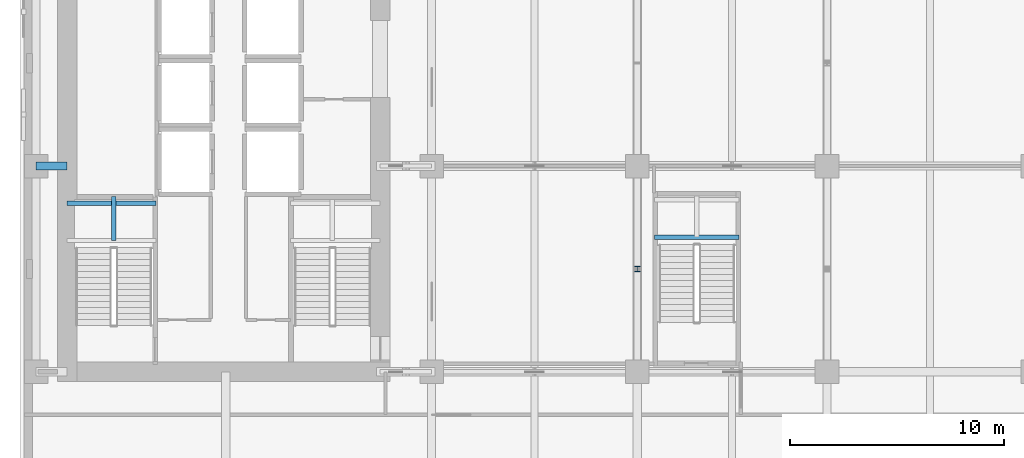
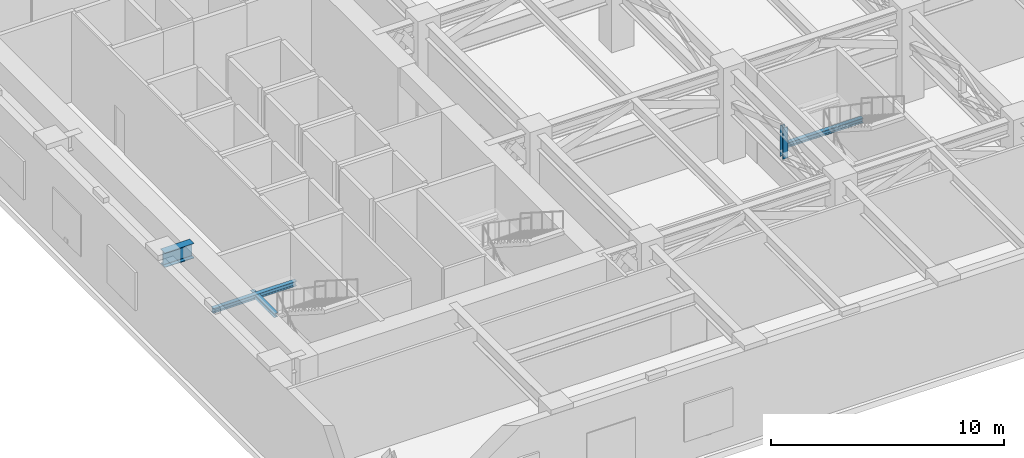
# One storey, part 2 of 22: 4 beams, 1 member.
"""IFC4 building model written with IfcOpenShell, lengths in metres."""

import ifcopenshell
import ifcopenshell.guid

model = None  # the IFC model being written
_history = None  # IfcOwnerHistory: only IFC2X3 demands one
_inside = {}  # id of a spatial element -> (the spatial element, [elements in it])
_under = {}  # id of a project, library or spatial element -> (it, [spatial elements below it])
_declared = {}  # id of a project -> (the project, [libraries it declares])
_typed = {}  # id of a type object -> (the type object, [elements of that type])
_made_of = {}  # id of a material, layer set ... -> (it, [elements and type objects made of it])


def new_model(schema):
    """Start an empty IFC model of exactly this schema.

    Asked for "IFC4X3", IfcOpenShell would pick the latest addendum, in which some entities
    have other attributes; the version numbers below select the first issue.
    IFC2X3 requires an IfcOwnerHistory on every rooted entity: one is made here for all.
    """
    global model, _history
    if schema == "IFC4X3":
        model = ifcopenshell.file(schema_version=(4, 3, 0, 0))
    else:
        model = ifcopenshell.file(schema=schema)
    _inside.clear()
    _under.clear()
    _declared.clear()
    _typed.clear()
    _made_of.clear()
    _history = None
    if model.schema == "IFC2X3":
        org = make("IfcOrganization", Name="unknown")
        user = make(
            "IfcPersonAndOrganization",
            ThePerson=make("IfcPerson", FamilyName="unknown"),
            TheOrganization=org,
        )
        app = make(
            "IfcApplication",
            ApplicationDeveloper=org,
            Version="unknown",
            ApplicationFullName="unknown",
            ApplicationIdentifier="unknown",
        )
        _history = make(
            "IfcOwnerHistory",
            OwningUser=user,
            OwningApplication=app,
            ChangeAction="ADDED",
            CreationDate=0,
        )
    return model


def make(cls, **values):
    """One entity of the class cls with the attributes given. An attribute that is None is left unset."""
    return model.create_entity(
        cls, **{name: value for name, value in values.items() if value is not None}
    )


def rooted(cls, **values):
    """An entity with a GlobalId (a new one), such as an element, a storey or a relation."""
    return make(cls, GlobalId=ifcopenshell.guid.new(), OwnerHistory=_history, **values)


def si_unit(unit_type, name, prefix=None):
    """IfcSIUnit, for example si_unit("LENGTHUNIT", "METRE", prefix="MILLI")."""
    return make("IfcSIUnit", UnitType=unit_type, Prefix=prefix, Name=name)


def assignment(units):
    """IfcUnitAssignment: the units of a project."""
    return None if units is None else make("IfcUnitAssignment", Units=units)


def point(xyz):
    """IfcCartesianPoint."""
    return None if xyz is None else make("IfcCartesianPoint", Coordinates=xyz)


def direction(xyz):
    """IfcDirection."""
    return None if xyz is None else make("IfcDirection", DirectionRatios=xyz)


def frame(location, z_axis=None, x_axis=None):
    """IfcAxis2Placement3D, a coordinate frame: its origin and axes. An axis left out is left unset."""
    return make(
        "IfcAxis2Placement3D",
        Location=point(location),
        Axis=direction(z_axis),
        RefDirection=direction(x_axis),
    )


def frame_2d(location, x_axis=None):
    """IfcAxis2Placement2D, a coordinate frame in the plane: its origin and x axis."""
    return make(
        "IfcAxis2Placement2D", Location=point(location), RefDirection=direction(x_axis)
    )


def origin():
    """The frame at (0, 0, 0) with its axes left unset."""
    return frame((0.0, 0.0, 0.0))


def origin_2d():
    """The frame at (0, 0) in the plane with its x axis left unset."""
    return frame_2d((0.0, 0.0))


def place(relative_to, where):
    """IfcLocalPlacement: puts the frame where relative to a parent placement (None: the world)."""
    return make(
        "IfcLocalPlacement", PlacementRelTo=relative_to, RelativePlacement=where
    )


def context(
    kind, dimensions, precision=None, world=None, true_north=None, identifier=None
):
    """IfcGeometricRepresentationContext, for example the 3D "Model" context."""
    return make(
        "IfcGeometricRepresentationContext",
        ContextIdentifier=identifier,
        ContextType=kind,
        CoordinateSpaceDimension=dimensions,
        Precision=precision,
        WorldCoordinateSystem=world,
        TrueNorth=true_north,
    )


def subcontext(parent, identifier, kind, view, scale=None):
    """IfcGeometricRepresentationSubContext, for example "Body" below "Model"."""
    return make(
        "IfcGeometricRepresentationSubContext",
        ContextIdentifier=identifier,
        ContextType=kind,
        ParentContext=parent,
        TargetScale=scale,
        TargetView=view,
    )


def project(units=None, contexts=None):
    """IfcProject with its units and contexts."""
    return rooted(
        "IfcProject",
        Name="project",
        RepresentationContexts=contexts,
        UnitsInContext=assignment(units),
    )


def spatial(cls, under=None, at=None, **own):
    """A site, building, storey or space (cls), placed at a placement, below another one or the project."""
    s = rooted(cls, ObjectPlacement=at, **own)
    if under is not None:
        _under.setdefault(under.id(), (under, []))[1].append(s)
    return s


def profile(cls, at=None, kind="AREA", **sizes):
    """A parametric profile (cls). Its sizes go by their IFC names, for example OverallWidth=200.0."""
    return make(cls, ProfileType=kind, Position=at, **sizes)


def i_section(**sizes):
    """IfcIShapeProfileDef."""
    return profile("IfcIShapeProfileDef", **sizes)


def extrude(swept, where, along, depth):
    """IfcExtrudedAreaSolid: the profile swept, set in the frame where, extruded along a direction by depth."""
    return make(
        "IfcExtrudedAreaSolid",
        SweptArea=swept,
        Position=where,
        ExtrudedDirection=direction(along),
        Depth=depth,
    )


def shape(context_of_items, identifier, shape_type, items):
    """IfcShapeRepresentation: the items that make up one representation, for example the "Body"."""
    return make(
        "IfcShapeRepresentation",
        ContextOfItems=context_of_items,
        RepresentationIdentifier=identifier,
        RepresentationType=shape_type,
        Items=items,
    )


def material(Name=None, Category=None):
    """IfcMaterial."""
    return make("IfcMaterial", Name=Name, Category=Category)


def material_profile(
    of_material, cross_section, Name=None, Category=None, Priority=None
):
    """IfcMaterialProfile: a cross section and its material."""
    return make(
        "IfcMaterialProfile",
        Name=Name,
        Material=of_material,
        Profile=cross_section,
        Priority=Priority,
        Category=Category,
    )


def profile_set(profiles, Name=None, composite=None):
    """IfcMaterialProfileSet."""
    return make(
        "IfcMaterialProfileSet",
        Name=Name,
        MaterialProfiles=profiles,
        CompositeProfile=composite,
    )


def made_of(thing, what):
    """Note that an element or type object is made of a material, layer set ...; save() writes the relation."""
    if what is not None:
        _made_of.setdefault(what.id(), (what, []))[1].append(thing)
    return thing


def type_object(cls, material=None, **own):
    """A type object (cls), such as IfcWallType, which elements share."""
    return made_of(rooted(cls, **own), material)


def element(
    cls,
    number,
    at=None,
    inside=None,
    cuts=None,
    type_object=None,
    material=None,
    context=None,
    identifier="Body",
    shape_type=None,
    held_by="IfcProductDefinitionShape",
    body=None,
    shapes=None,
    **own,
):
    """One element of the class cls, such as IfcWall. Its Tag is "e" and its number.

    at: its placement. inside: the storey or other place that contains it. cuts: it is an
    opening in that element (IfcRelVoidsElement). A single representation is given by context,
    identifier, shape_type and body (its items); several are given by shapes. held_by: the class
    of the entity that holds the representations. save() writes the other relations.
    """
    e = rooted(cls, Tag="e%d" % number, ObjectPlacement=at, **own)
    if body is not None:
        shapes = [shape(context, identifier, shape_type, body)]
    if shapes is not None:
        e.Representation = make(held_by, Representations=shapes)
    if inside is not None:
        _inside.setdefault(inside.id(), (inside, []))[1].append(e)
    if cuts is not None:
        rooted(
            "IfcRelVoidsElement", RelatingBuildingElement=cuts, RelatedOpeningElement=e
        )
    if type_object is not None:
        _typed.setdefault(type_object.id(), (type_object, []))[1].append(e)
    return made_of(e, material)


def aggregate(whole, parts):
    """IfcRelAggregates: a whole, such as a stair, and the parts it consists of."""
    return rooted("IfcRelAggregates", RelatingObject=whole, RelatedObjects=parts)


def save(model, path):
    """Write the relations noted so far, then the file.

    IfcRelAggregates (storeys below a building ...), IfcRelContainedInSpatialStructure (elements
    in a storey), IfcRelDefinesByType, IfcRelAssociatesMaterial and IfcRelDeclares: one each for
    every whole, place, type object, material and project.
    """
    for whole, parts in _under.values():
        aggregate(whole, parts)
    for where, things in _inside.values():
        rooted(
            "IfcRelContainedInSpatialStructure",
            RelatedElements=things,
            RelatingStructure=where,
        )
    for kind, things in _typed.values():
        rooted("IfcRelDefinesByType", RelatedObjects=things, RelatingType=kind)
    for what, things in _made_of.values():
        rooted("IfcRelAssociatesMaterial", RelatedObjects=things, RelatingMaterial=what)
    for by, libraries in _declared.values():
        rooted("IfcRelDeclares", RelatingContext=by, RelatedDefinitions=libraries)
    model.write(path)


model = new_model("IFC4")

# Units and contexts
model_context = context("Model", 3, precision=1e-05, world=origin(), true_north=direction((0.0, 1.0)))
body_context = subcontext(model_context, "Body", "Model", "MODEL_VIEW")
ifc_project = project(units=[si_unit("LENGTHUNIT", "METRE"), si_unit("AREAUNIT", "SQUARE_METRE"), si_unit("VOLUMEUNIT", "CUBIC_METRE"), si_unit("PLANEANGLEUNIT", "RADIAN"), si_unit("MASSUNIT", "GRAM", prefix="KILO")], contexts=[model_context])

# Site, building, storey
site_placement = place(None, origin())
site = spatial("IfcSite", under=ifc_project, at=site_placement, CompositionType="ELEMENT")
building_placement = place(site_placement, origin())
building = spatial("IfcBuilding", under=site, at=building_placement, Name="Norrvale University Quadrangle", CompositionType="ELEMENT")
storey_placement = place(building_placement, frame((0.0, 0.0, 96.39990234375)))
storey = spatial("IfcBuildingStorey", under=building, at=storey_placement, Name="L24", CompositionType="ELEMENT", Elevation=96.39990234375)

# Beams
ifc_material = material(Name="Steel 350W", Category="steel")
ifc_material_profile_1 = material_profile(ifc_material, i_section(OverallWidth=0.381103515625, OverallDepth=0.77294921875, WebThickness=0.0166015625, FlangeThickness=0.027587890625, FilletRadius=0.02001953125, at=origin_2d()), Name="Steel 350W")
ifc_profile_set_1 = profile_set([ifc_material_profile_1], Name="Steel 350W")
beam_type_1 = type_object("IfcBeamType", Name="Beam Outrig W760x257", PredefinedType="BEAM", material=ifc_profile_set_1)
beam_1_placement = place(storey_placement, frame((0.75, 19.199951171875, 4.353515625), z_axis=(1.0, 0.0, 0.0), x_axis=(0.0, 1.0, 0.0)))
element("IfcBeam", 1, at=beam_1_placement, inside=storey, type_object=beam_type_1, Name="Beam Outrig W760x257 BM-L24-GCW069", PredefinedType="BEAM", context=body_context, shape_type="SweptSolid", body=[
    extrude(i_section(OverallWidth=0.381103515625, OverallDepth=0.77294921875, WebThickness=0.0166015625, FlangeThickness=0.027587890625, FilletRadius=0.02001953125, at=origin_2d()), origin(), (0.0, 0.0, 1.0), 1.449951171875),
])
ifc_material_profile_2 = material_profile(ifc_material, i_section(OverallWidth=0.201904296875, OverallDepth=0.2470703125, WebThickness=0.00732421875, FlangeThickness=0.010986328125, FilletRadius=0.011962890625, at=origin_2d()), Name="Steel 350W")
ifc_profile_set_2 = profile_set([ifc_material_profile_2], Name="Steel 350W")
beam_type_2 = type_object("IfcBeamType", Name="Beam Stair W250x49", PredefinedType="BEAM", material=ifc_profile_set_2)
beam_2_placement = place(storey_placement, frame((2.199951171875, 17.469970703125, 2.176513671875), z_axis=(1.0, 0.0, 0.0), x_axis=(0.0, 1.0, 0.0)))
element("IfcBeam", 2, at=beam_2_placement, inside=storey, type_object=beam_type_2, Name="Stair Mid-Landing Rear Beam ST-01 L24", PredefinedType="BEAM", context=body_context, shape_type="SweptSolid", body=[
    extrude(i_section(OverallWidth=0.201904296875, OverallDepth=0.2470703125, WebThickness=0.00732421875, FlangeThickness=0.010986328125, FilletRadius=0.011962890625, at=origin_2d()), origin(), (0.0, 0.0, 1.0), 4.14013671875),
])
beam_3_placement = place(storey_placement, frame((29.610107421875, 15.8798828125, 2.176513671875), z_axis=(1.0, 0.0, 0.0), x_axis=(0.0, 1.0, 0.0)))
element("IfcBeam", 3, at=beam_3_placement, inside=storey, type_object=beam_type_2, Name="Stair Mid-Landing Front Beam ST-04 L24", PredefinedType="BEAM", context=body_context, shape_type="SweptSolid", body=[
    extrude(i_section(OverallWidth=0.201904296875, OverallDepth=0.2470703125, WebThickness=0.00732421875, FlangeThickness=0.010986328125, FilletRadius=0.011962890625, at=origin_2d()), origin(), (0.0, 0.0, 1.0), 3.929931640625),
])
ifc_material_profile_3 = material_profile(ifc_material, i_section(OverallWidth=0.202880859375, OverallDepth=0.202880859375, WebThickness=0.007080078125, FlangeThickness=0.010986328125, FilletRadius=0.010009765625, at=origin_2d()), Name="Steel 350W")
ifc_profile_set_3 = profile_set([ifc_material_profile_3], Name="Steel 350W")
beam_type_3 = type_object("IfcBeamType", Name="Beam Trim W200x46", PredefinedType="BEAM", material=ifc_profile_set_3)
beam_4_placement = place(storey_placement, frame((4.375, 15.72998046875, 2.198486328125), z_axis=(0.0, 1.0, 0.0), x_axis=(-1.0, 0.0, 0.0)))
element("IfcBeam", 4, at=beam_4_placement, inside=storey, type_object=beam_type_3, Name="Stair Mid-Landing Cross Beam ST-01 L24", PredefinedType="BEAM", context=body_context, shape_type="SweptSolid", body=[
    extrude(i_section(OverallWidth=0.202880859375, OverallDepth=0.202880859375, WebThickness=0.007080078125, FlangeThickness=0.010986328125, FilletRadius=0.010009765625, at=origin_2d()), origin(), (0.0, 0.0, 1.0), 2.06005859375),
])

# Member
ifc_material_profile_4 = material_profile(ifc_material, i_section(OverallWidth=0.25390625, OverallDepth=0.2529296875, WebThickness=0.008544921875, FlangeThickness=0.01416015625, FilletRadius=0.011962890625, at=origin_2d()), Name="Steel 350W")
ifc_profile_set_4 = profile_set([ifc_material_profile_4], Name="Steel 350W")
member_type = type_object("IfcMemberType", Name="Member Post W250x73", PredefinedType="POST", material=ifc_profile_set_4)
member_placement = place(storey_placement, frame((28.800048828125, 14.39990234375, 2.75), z_axis=(0.0, 0.0, 1.0), x_axis=(1.0, 0.0, 0.0)))
element("IfcMember", 5, at=member_placement, inside=storey, type_object=member_type, Name="Belt Truss Post L24-04", PredefinedType="POST", context=body_context, shape_type="SweptSolid", body=[
    extrude(i_section(OverallWidth=0.25390625, OverallDepth=0.2529296875, WebThickness=0.008544921875, FlangeThickness=0.01416015625, FilletRadius=0.011962890625, at=origin_2d()), origin(), (0.0, 0.0, 1.0), 1.64013671875),
])

save(model, "model.ifc")
